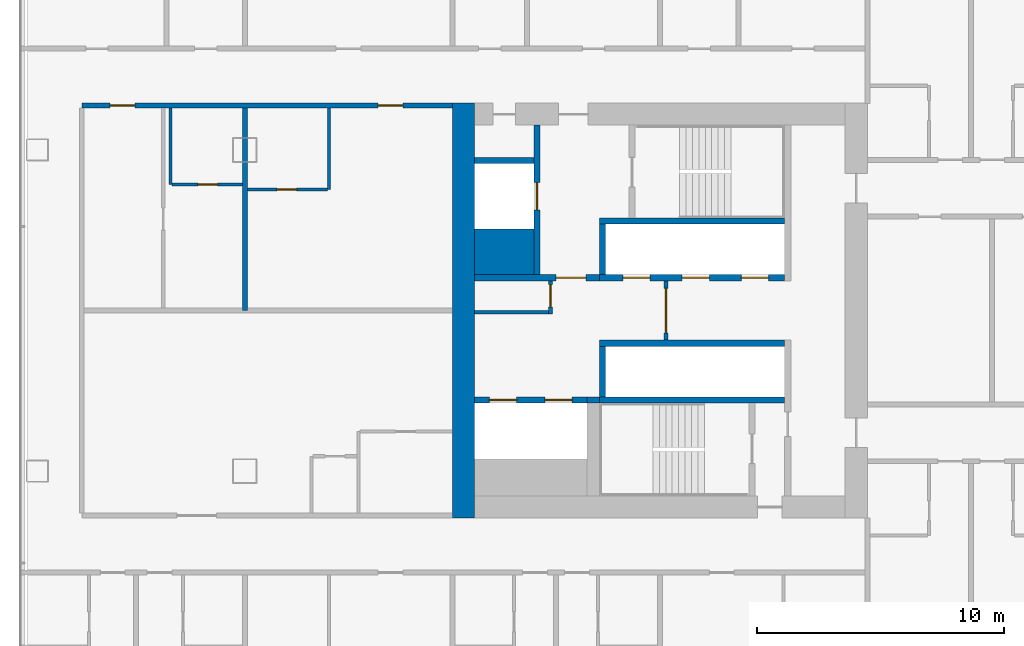
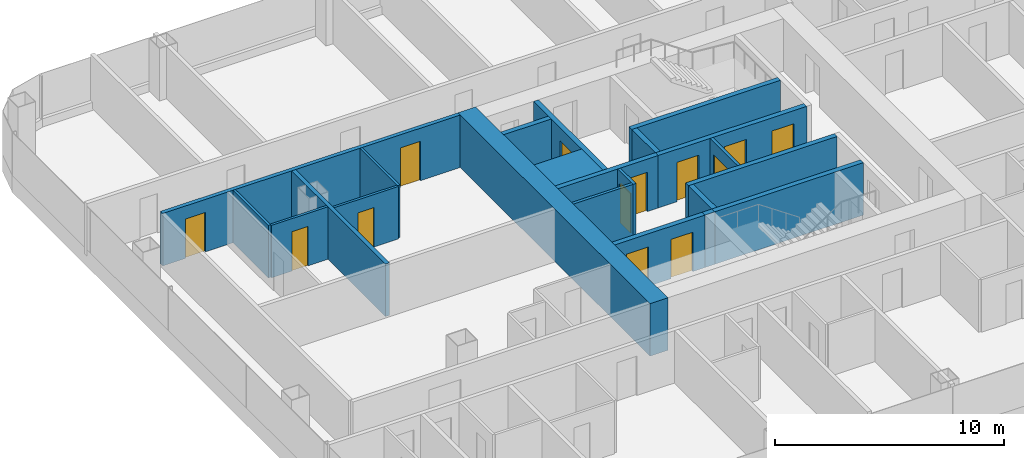
# One storey, part 14 of 29: 22 walls, 13 doors, 13 openings.
"""IFC4 building model written with IfcOpenShell, lengths in metres."""

from ifc_helpers import new_model, si_unit, direction, frame, frame_2d, origin, place, context, subcontext, project, spatial, rectangle, extrude, material, layer, layer_set, type_object, element, fill, save


model = new_model("IFC4")

# Units and contexts
model_context = context("Model", 3, precision=1e-05, world=origin(), true_north=direction((0.0, 1.0)))
body_context = subcontext(model_context, "Body", "Model", "MODEL_VIEW")
ifc_project = project(units=[si_unit("LENGTHUNIT", "METRE"), si_unit("AREAUNIT", "SQUARE_METRE"), si_unit("VOLUMEUNIT", "CUBIC_METRE"), si_unit("PLANEANGLEUNIT", "RADIAN"), si_unit("MASSUNIT", "GRAM", prefix="KILO")], contexts=[model_context])

# Site, building, storey
site_placement = place(None, origin())
site = spatial("IfcSite", under=ifc_project, at=site_placement, CompositionType="ELEMENT")
building_placement = place(site_placement, origin())
building = spatial("IfcBuilding", under=site, at=building_placement, Name="Hakoniwa Tower and Hamabe Station Hall", CompositionType="ELEMENT")
storey_placement = place(building_placement, frame((0.0, 0.0, 45.39990234375)))
storey = spatial("IfcBuildingStorey", under=building, at=storey_placement, Name="L12", CompositionType="ELEMENT", Elevation=45.39990234375)

# Wall, opening, door
ifc_material_1 = material(Name="Gypsum board partition", Category="gypsum")
ifc_layer_1 = layer(ifc_material_1, 0.125)
ifc_layer_set_1 = layer_set([ifc_layer_1], Name="Bathroom Partition 125")
wall_type_1 = type_object("IfcWallType", Name="Bathroom Partition 125", PredefinedType="PARTITIONING", material=ifc_layer_set_1)
wall_1_placement = place(storey_placement, frame((-41.89990234375, 4.89990234375, 0.0), z_axis=(0.0, 0.0, 1.0), x_axis=(1.0, 0.0, 0.0)))
wall_1 = element("IfcWall", 1, at=wall_1_placement, inside=storey, type_object=wall_type_1, Name="GW-L12-030", PredefinedType="PARTITIONING", context=body_context, shape_type="SweptSolid", body=[
    extrude(rectangle(XDim=3.2373046875, YDim=0.125, at=frame_2d((1.61865234375, 0.0))), origin(), (0.0, 0.0, 1.0), 2.800048828125),
])
opening_1_placement = place(wall_1_placement, frame((1.199951171875, 0.0, 0.0)))
opening_1 = element("IfcOpeningElement", 2, at=opening_1_placement, cuts=wall_1, Name="Opening GD-G1D1-39", PredefinedType="OPENING", context=body_context, shape_type="SweptSolid", body=[
    extrude(rectangle(XDim=0.800048828125, YDim=2.10009765625, at=frame_2d((0.39990234375, 1.050048828125))), frame((0.0, 0.072509765625, 0.0), z_axis=(0.0, -1.0, 0.0), x_axis=(1.0, 0.0, 0.0)), (0.0, 0.0, 1.0), 0.14501953125),
])
ifc_material_2 = material(Name="Timber door leaf", Category="wood")
door_type_1 = type_object("IfcDoorType", Name="Bathroom Door 800", OperationType="SINGLE_SWING_LEFT", PredefinedType="DOOR", material=ifc_material_2)
door_1_placement = place(opening_1_placement, origin())
door_1 = element("IfcDoor", 3, at=door_1_placement, inside=storey, type_object=door_type_1, Name="Door GD-G1D1-39", OperationType="SINGLE_SWING_LEFT", OverallHeight=2.10009765625, OverallWidth=0.800048828125, PredefinedType="DOOR", context=body_context, shape_type="SweptSolid", body=[
    extrude(rectangle(XDim=0.800048828125, YDim=2.10009765625, at=frame_2d((0.39990234375, 1.050048828125))), frame((0.0, 0.02490234375, 0.0), z_axis=(0.0, -1.0, 0.0), x_axis=(1.0, 0.0, 0.0)), (0.0, 0.0, 1.0), 0.050048828125),
])
fill(opening_1, door_1)

wall_2_placement = place(storey_placement, frame((-44.9375, 5.10009765625, 0.0), z_axis=(0.0, 0.0, 1.0), x_axis=(1.0, 0.0, 0.0)))
wall_2 = element("IfcWall", 4, at=wall_2_placement, inside=storey, type_object=wall_type_1, Name="GW-L12-032", PredefinedType="PARTITIONING", context=body_context, shape_type="SweptSolid", body=[
    extrude(rectangle(XDim=2.83740234375, YDim=0.125, at=frame_2d((1.418701171875, 0.0))), origin(), (0.0, 0.0, 1.0), 2.800048828125),
])
opening_2_placement = place(wall_2_placement, frame((1.03759765625, 0.0, 0.0)))
opening_2 = element("IfcOpeningElement", 5, at=opening_2_placement, cuts=wall_2, Name="Opening GD-G1D1-41", PredefinedType="OPENING", context=body_context, shape_type="SweptSolid", body=[
    extrude(rectangle(XDim=0.800048828125, YDim=2.10009765625, at=frame_2d((0.39990234375, 1.050048828125))), frame((0.0, 0.072509765625, 0.0), z_axis=(0.0, -1.0, 0.0), x_axis=(1.0, 0.0, 0.0)), (0.0, 0.0, 1.0), 0.14501953125),
])
door_2_placement = place(opening_2_placement, origin())
door_2 = element("IfcDoor", 6, at=door_2_placement, inside=storey, type_object=door_type_1, Name="Door GD-G1D1-41", OperationType="SINGLE_SWING_RIGHT", OverallHeight=2.10009765625, OverallWidth=0.800048828125, PredefinedType="DOOR", context=body_context, shape_type="SweptSolid", body=[
    extrude(rectangle(XDim=0.800048828125, YDim=2.10009765625, at=frame_2d((0.39990234375, 1.050048828125))), frame((0.0, 0.02490234375, 0.0), z_axis=(0.0, -1.0, 0.0), x_axis=(1.0, 0.0, 0.0)), (0.0, 0.0, 1.0), 0.050048828125),
])
fill(opening_2, door_2)

# Walls
wall_3_placement = place(storey_placement, frame((-45.0, 5.10009765625, 0.0), z_axis=(0.0, 0.0, 1.0), x_axis=(0.0, 1.0, 0.0)))
element("IfcWall", 7, at=wall_3_placement, inside=storey, type_object=wall_type_1, Name="GW-L12-048", PredefinedType="PARTITIONING", context=body_context, shape_type="SweptSolid", body=[
    extrude(rectangle(XDim=3.099853515625, YDim=0.125, at=frame_2d((1.5498046875, 0.0))), origin(), (0.0, 0.0, 1.0), 2.800048828125),
])
wall_4_placement = place(storey_placement, frame((-38.60009765625, 4.89990234375, 0.0), z_axis=(0.0, 0.0, 1.0), x_axis=(0.0, 1.0, 0.0)))
element("IfcWall", 8, at=wall_4_placement, inside=storey, type_object=wall_type_1, Name="GW-L12-055", PredefinedType="PARTITIONING", context=body_context, shape_type="SweptSolid", body=[
    extrude(rectangle(XDim=3.300048828125, YDim=0.125, at=frame_2d((1.64990234375, 0.0))), origin(), (0.0, 0.0, 1.0), 2.800048828125),
])

# Wall, opening, door
ifc_material_3 = material(Name="Gypsum board partition")
ifc_layer_2 = layer(ifc_material_3, 0.14990234375)
ifc_layer_set_2 = layer_set([ifc_layer_2], Name="CORE PARTITION 150 EI 60")
wall_type_2 = type_object("IfcWallType", Name="CORE PARTITION 150 EI 60", PredefinedType="PARTITIONING", material=ifc_layer_set_2)
wall_5_placement = place(storey_placement, frame((-24.949951171875, -1.199951171875, 0.0), z_axis=(0.0, 0.0, 1.0), x_axis=(0.0, 1.0, 0.0)))
wall_5 = element("IfcWall", 9, at=wall_5_placement, inside=storey, type_object=wall_type_2, Name="Core partition PL0 west", PredefinedType="PARTITIONING", context=body_context, shape_type="SweptSolid", body=[
    extrude(rectangle(XDim=2.39990234375, YDim=0.14990234375, at=frame_2d((1.199951171875, 0.0))), origin(), (0.0, 0.0, 1.0), 2.800048828125),
])
opening_3_placement = place(wall_5_placement, frame((0.300048828125, 0.0, 0.0)))
opening_3 = element("IfcOpeningElement", 10, at=opening_3_placement, cuts=wall_5, Name="Opening CD-W-LP0-18", PredefinedType="OPENING", context=body_context, shape_type="SweptSolid", body=[
    extrude(rectangle(XDim=1.800048828125, YDim=2.10009765625, at=frame_2d((0.89990234375, 1.050048828125))), frame((0.0, 0.0849609375, 0.0), z_axis=(0.0, -1.0, 0.0), x_axis=(1.0, 0.0, 0.0)), (0.0, 0.0, 1.0), 0.169921875),
])
ifc_material_4 = material(Name="Steel fire door", Category="steel")
door_type_2 = type_object("IfcDoorType", Name="CORE DOOR 1800 FD60", OperationType="DOUBLE_DOOR_SINGLE_SWING", PredefinedType="DOOR", material=ifc_material_4)
door_3_placement = place(opening_3_placement, origin())
door_3 = element("IfcDoor", 11, at=door_3_placement, inside=storey, type_object=door_type_2, Name="Lift lobby partition door", OperationType="DOUBLE_DOOR_SINGLE_SWING", OverallHeight=2.10009765625, OverallWidth=1.800048828125, PredefinedType="DOOR", context=body_context, shape_type="SweptSolid", body=[
    extrude(rectangle(XDim=1.800048828125, YDim=2.10009765625, at=frame_2d((0.89990234375, 1.050048828125))), frame((0.0, 0.02490234375, 0.0), z_axis=(0.0, -1.0, 0.0), x_axis=(1.0, 0.0, 0.0)), (0.0, 0.0, 1.0), 0.050048828125),
])
fill(opening_3, door_3)

wall_6_placement = place(storey_placement, frame((-29.625, -0.14990234375, 0.0), z_axis=(0.0, 0.0, 1.0), x_axis=(0.0, 1.0, 0.0)))
wall_6 = element("IfcWall", 12, at=wall_6_placement, inside=storey, type_object=wall_type_2, Name="Core partition PW0 west", PredefinedType="PARTITIONING", context=body_context, shape_type="SweptSolid", body=[
    extrude(rectangle(XDim=1.349853515625, YDim=0.14990234375, at=frame_2d((0.6748046875, 0.0))), origin(), (0.0, 0.0, 1.0), 2.800048828125),
])
opening_4_placement = place(wall_6_placement, frame((0.300048828125, 0.0, 0.0)))
opening_4 = element("IfcOpeningElement", 13, at=opening_4_placement, cuts=wall_6, Name="Opening CD-W-RM1-9", PredefinedType="OPENING", context=body_context, shape_type="SweptSolid", body=[
    extrude(rectangle(XDim=0.89990234375, YDim=2.10009765625, at=frame_2d((0.449951171875, 1.050048828125))), frame((0.0, 0.0849609375, 0.0), z_axis=(0.0, -1.0, 0.0), x_axis=(1.0, 0.0, 0.0)), (0.0, 0.0, 1.0), 0.169921875),
])
ifc_material_5 = material(Name="Steel fire door", Category="steel")
door_type_3 = type_object("IfcDoorType", Name="CORE DOOR 900 FD30", OperationType="NOTDEFINED", PredefinedType="DOOR", material=ifc_material_5)
door_4_placement = place(opening_4_placement, origin())
door_4 = element("IfcDoor", 14, at=door_4_placement, inside=storey, type_object=door_type_3, Name="Store room door", OperationType="SINGLE_SWING_LEFT", OverallHeight=2.10009765625, OverallWidth=0.89990234375, PredefinedType="DOOR", context=body_context, shape_type="SweptSolid", body=[
    extrude(rectangle(XDim=0.89990234375, YDim=2.10009765625, at=frame_2d((0.449951171875, 1.050048828125))), frame((0.0, 0.02490234375, 0.0), z_axis=(0.0, -1.0, 0.0), x_axis=(1.0, 0.0, 0.0)), (0.0, 0.0, 1.0), 0.050048828125),
])
fill(opening_4, door_4)

# Walls
wall_7_placement = place(storey_placement, frame((-32.699951171875, -0.074951171875, 0.0), z_axis=(0.0, 0.0, 1.0), x_axis=(1.0, 0.0, 0.0)))
element("IfcWall", 15, at=wall_7_placement, inside=storey, type_object=wall_type_2, Name="Core partition PS west", PredefinedType="PARTITIONING", context=body_context, shape_type="SweptSolid", body=[
    extrude(rectangle(XDim=3.0, YDim=0.14990234375, at=frame_2d((1.5, 0.0))), origin(), (0.0, 0.0, 1.0), 2.800048828125),
])
ifc_material_6 = material(Name="Concrete C80", Category="concrete")
ifc_layer_3 = layer(ifc_material_6, 0.89990234375)
ifc_layer_set_3 = layer_set([ifc_layer_3], Name="CORE WALL 900 C80")
wall_type_3 = type_object("IfcWallType", Name="CORE WALL 900 C80", PredefinedType="SHEAR", material=ifc_layer_set_3)
wall_8_placement = place(storey_placement, frame((-33.14990234375, -8.39990234375, 0.0), z_axis=(0.0, 0.0, 1.0), x_axis=(0.0, 1.0, 0.0)))
element("IfcWall", 16, at=wall_8_placement, inside=storey, type_object=wall_type_3, Name="Core wall OUTER west", PredefinedType="SHEAR", context=body_context, shape_type="SweptSolid", body=[
    extrude(rectangle(XDim=16.7998046875, YDim=0.89990234375, at=frame_2d((8.39990234375, 0.0))), origin(), (0.0, 0.0, 1.0), 2.800048828125),
])
ifc_material_7 = material(Name="Concrete C80", Category="concrete")
ifc_layer_4 = layer(ifc_material_7, 1.85009765625)
ifc_layer_set_4 = layer_set([ifc_layer_4], Name="CORE WEB WALL 1850 C80")
wall_type_4 = type_object("IfcWallType", Name="CORE WEB WALL 1850 C80", PredefinedType="SHEAR", material=ifc_layer_set_4)
wall_9_placement = place(storey_placement, frame((-32.699951171875, 2.375, 0.0), z_axis=(0.0, 0.0, 1.0), x_axis=(1.0, 0.0, 0.0)))
element("IfcWall", 17, at=wall_9_placement, inside=storey, type_object=wall_type_4, Name="Core wall CA west", PredefinedType="SHEAR", context=body_context, shape_type="SweptSolid", body=[
    extrude(rectangle(XDim=2.39990234375, YDim=1.85009765625, at=frame_2d((1.199951171875, 0.0))), origin(), (0.0, 0.0, 1.0), 2.800048828125),
])

# Wall, openings, doors
ifc_material_8 = material(Name="Concrete C80", Category="concrete")
ifc_layer_5 = layer(ifc_material_8, 0.25)
ifc_layer_set_5 = layer_set([ifc_layer_5], Name="CORE WEB WALL 250 C80")
wall_type_5 = type_object("IfcWallType", Name="CORE WEB WALL 250 C80", PredefinedType="SHEAR", material=ifc_layer_set_5)
wall_10_placement = place(storey_placement, frame((-27.64990234375, 1.324951171875, 0.0), z_axis=(0.0, 0.0, 1.0), x_axis=(1.0, 0.0, 0.0)))
wall_10 = element("IfcWall", 18, at=wall_10_placement, inside=storey, type_object=wall_type_5, Name="Core wall NF west", PredefinedType="SHEAR", context=body_context, shape_type="SweptSolid", body=[
    extrude(rectangle(XDim=7.5, YDim=0.25, at=frame_2d((3.75, 0.0))), origin(), (0.0, 0.0, 1.0), 2.800048828125),
])
opening_5_placement = place(wall_10_placement, frame((5.75, 0.0, 0.0)))
opening_5 = element("IfcOpeningElement", 19, at=opening_5_placement, cuts=wall_10, Name="Opening LD-LR1", PredefinedType="OPENING", context=body_context, shape_type="SweptSolid", body=[
    extrude(rectangle(XDim=1.10009765625, YDim=2.10009765625, at=frame_2d((0.550048828125, 1.050048828125))), frame((0.0, 0.135009765625, 0.0), z_axis=(0.0, -1.0, 0.0), x_axis=(1.0, 0.0, 0.0)), (0.0, 0.0, 1.0), 0.27001953125),
])
opening_6_placement = place(wall_10_placement, frame((3.35009765625, 0.0, 0.0)))
opening_6 = element("IfcOpeningElement", 20, at=opening_6_placement, cuts=wall_10, Name="Opening LD-LR2", PredefinedType="OPENING", context=body_context, shape_type="SweptSolid", body=[
    extrude(rectangle(XDim=1.10009765625, YDim=2.10009765625, at=frame_2d((0.550048828125, 1.050048828125))), frame((0.0, 0.135009765625, 0.0), z_axis=(0.0, -1.0, 0.0), x_axis=(1.0, 0.0, 0.0)), (0.0, 0.0, 1.0), 0.27001953125),
])
opening_7_placement = place(wall_10_placement, frame((0.949951171875, 0.0, 0.0)))
opening_7 = element("IfcOpeningElement", 21, at=opening_7_placement, cuts=wall_10, Name="Opening LD-LR3", PredefinedType="OPENING", context=body_context, shape_type="SweptSolid", body=[
    extrude(rectangle(XDim=1.10009765625, YDim=2.10009765625, at=frame_2d((0.550048828125, 1.050048828125))), frame((0.0, 0.135009765625, 0.0), z_axis=(0.0, -1.0, 0.0), x_axis=(1.0, 0.0, 0.0)), (0.0, 0.0, 1.0), 0.27001953125),
])
ifc_material_9 = material(Name="Stainless steel SUS304", Category="steel")
door_type_4 = type_object("IfcDoorType", Name="LIFT LANDING DOOR 1100 FD60", OperationType="DOUBLE_DOOR_SLIDING", PredefinedType="DOOR", material=ifc_material_9)
door_5_placement = place(opening_5_placement, origin())
door_5 = element("IfcDoor", 22, at=door_5_placement, inside=storey, type_object=door_type_4, Name="Lift landing door LR1 L12", OperationType="DOUBLE_DOOR_SLIDING", OverallHeight=2.10009765625, OverallWidth=1.10009765625, PredefinedType="DOOR", context=body_context, shape_type="SweptSolid", body=[
    extrude(rectangle(XDim=1.10009765625, YDim=2.10009765625, at=frame_2d((0.550048828125, 1.050048828125))), frame((0.0, 0.02490234375, 0.0), z_axis=(0.0, -1.0, 0.0), x_axis=(1.0, 0.0, 0.0)), (0.0, 0.0, 1.0), 0.050048828125),
])
fill(opening_5, door_5)
door_6_placement = place(opening_6_placement, origin())
door_6 = element("IfcDoor", 23, at=door_6_placement, inside=storey, type_object=door_type_4, Name="Lift landing door LR2 L12", OperationType="DOUBLE_DOOR_SLIDING", OverallHeight=2.10009765625, OverallWidth=1.10009765625, PredefinedType="DOOR", context=body_context, shape_type="SweptSolid", body=[
    extrude(rectangle(XDim=1.10009765625, YDim=2.10009765625, at=frame_2d((0.550048828125, 1.050048828125))), frame((0.0, 0.02490234375, 0.0), z_axis=(0.0, -1.0, 0.0), x_axis=(1.0, 0.0, 0.0)), (0.0, 0.0, 1.0), 0.050048828125),
])
fill(opening_6, door_6)
door_7_placement = place(opening_7_placement, origin())
door_7 = element("IfcDoor", 24, at=door_7_placement, inside=storey, type_object=door_type_4, Name="Lift landing door LR3 L12", OperationType="DOUBLE_DOOR_SLIDING", OverallHeight=2.10009765625, OverallWidth=1.10009765625, PredefinedType="DOOR", context=body_context, shape_type="SweptSolid", body=[
    extrude(rectangle(XDim=1.10009765625, YDim=2.10009765625, at=frame_2d((0.550048828125, 1.050048828125))), frame((0.0, 0.02490234375, 0.0), z_axis=(0.0, -1.0, 0.0), x_axis=(1.0, 0.0, 0.0)), (0.0, 0.0, 1.0), 0.050048828125),
])
fill(opening_7, door_7)

# Walls
wall_11_placement = place(storey_placement, frame((-27.52490234375, 1.449951171875, 0.0), z_axis=(0.0, 0.0, 1.0), x_axis=(0.0, 1.0, 0.0)))
element("IfcWall", 25, at=wall_11_placement, inside=storey, type_object=wall_type_5, Name="Core wall NE west", PredefinedType="SHEAR", context=body_context, shape_type="SweptSolid", body=[
    extrude(rectangle(XDim=2.050048828125, YDim=0.25, at=frame_2d((1.02490234375, 0.0))), origin(), (0.0, 0.0, 1.0), 2.800048828125),
])
wall_12_placement = place(storey_placement, frame((-27.64990234375, 3.625, 0.0), z_axis=(0.0, 0.0, 1.0), x_axis=(1.0, 0.0, 0.0)))
element("IfcWall", 26, at=wall_12_placement, inside=storey, type_object=wall_type_5, Name="Core wall NR west", PredefinedType="SHEAR", context=body_context, shape_type="SweptSolid", body=[
    extrude(rectangle(XDim=7.5, YDim=0.25, at=frame_2d((3.75, 0.0))), origin(), (0.0, 0.0, 1.0), 2.800048828125),
])

# Wall, opening, door
wall_13_placement = place(storey_placement, frame((-32.699951171875, 1.324951171875, 0.0), z_axis=(0.0, 0.0, 1.0), x_axis=(1.0, 0.0, 0.0)))
wall_13 = element("IfcWall", 27, at=wall_13_placement, inside=storey, type_object=wall_type_5, Name="Core wall ELN west", PredefinedType="SHEAR", context=body_context, shape_type="SweptSolid", body=[
    extrude(rectangle(XDim=5.050048828125, YDim=0.25, at=frame_2d((2.52490234375, 0.0))), origin(), (0.0, 0.0, 1.0), 2.800048828125),
])
opening_8_placement = place(wall_13_placement, frame((3.300048828125, 0.0, 0.0)))
opening_8 = element("IfcOpeningElement", 28, at=opening_8_placement, cuts=wall_13, Name="Opening CD-W-FL-12", PredefinedType="OPENING", context=body_context, shape_type="SweptSolid", body=[
    extrude(rectangle(XDim=1.199951171875, YDim=2.10009765625, at=frame_2d((0.60009765625, 1.050048828125))), frame((0.0, 0.135009765625, 0.0), z_axis=(0.0, -1.0, 0.0), x_axis=(1.0, 0.0, 0.0)), (0.0, 0.0, 1.0), 0.27001953125),
])
ifc_material_10 = material(Name="Steel fire door", Category="steel")
door_type_5 = type_object("IfcDoorType", Name="CORE DOOR 1200 FD60", OperationType="DOUBLE_DOOR_SINGLE_SWING", PredefinedType="DOOR", material=ifc_material_10)
door_8_placement = place(opening_8_placement, origin())
door_8 = element("IfcDoor", 29, at=door_8_placement, inside=storey, type_object=door_type_5, Name="Stair vestibule door to the fire-fighting lobby", OperationType="DOUBLE_DOOR_SINGLE_SWING", OverallHeight=2.10009765625, OverallWidth=1.199951171875, PredefinedType="DOOR", context=body_context, shape_type="SweptSolid", body=[
    extrude(rectangle(XDim=1.199951171875, YDim=2.10009765625, at=frame_2d((0.60009765625, 1.050048828125))), frame((0.0, 0.02490234375, 0.0), z_axis=(0.0, -1.0, 0.0), x_axis=(1.0, 0.0, 0.0)), (0.0, 0.0, 1.0), 0.050048828125),
])
fill(opening_8, door_8)

wall_14_placement = place(storey_placement, frame((-30.175048828125, 1.449951171875, 0.0), z_axis=(0.0, 0.0, 1.0), x_axis=(0.0, 1.0, 0.0)))
wall_14 = element("IfcWall", 30, at=wall_14_placement, inside=storey, type_object=wall_type_5, Name="Core wall FFF west", PredefinedType="SHEAR", context=body_context, shape_type="SweptSolid", body=[
    extrude(rectangle(XDim=6.050048828125, YDim=0.25, at=frame_2d((3.02490234375, 0.0))), origin(), (0.0, 0.0, 1.0), 2.800048828125),
])
opening_9_placement = place(wall_14_placement, frame((2.625, 0.0, 0.0)))
opening_9 = element("IfcOpeningElement", 31, at=opening_9_placement, cuts=wall_14, Name="Opening LD-FF1", PredefinedType="OPENING", context=body_context, shape_type="SweptSolid", body=[
    extrude(rectangle(XDim=1.10009765625, YDim=2.10009765625, at=frame_2d((0.550048828125, 1.050048828125))), frame((0.0, 0.135009765625, 0.0), z_axis=(0.0, -1.0, 0.0), x_axis=(1.0, 0.0, 0.0)), (0.0, 0.0, 1.0), 0.27001953125),
])
door_9_placement = place(opening_9_placement, origin())
door_9 = element("IfcDoor", 32, at=door_9_placement, inside=storey, type_object=door_type_4, Name="Lift landing door FF1 L12", OperationType="DOUBLE_DOOR_SLIDING", OverallHeight=2.10009765625, OverallWidth=1.10009765625, PredefinedType="DOOR", context=body_context, shape_type="SweptSolid", body=[
    extrude(rectangle(XDim=1.10009765625, YDim=2.10009765625, at=frame_2d((0.550048828125, 1.050048828125))), frame((0.0, 0.02490234375, 0.0), z_axis=(0.0, -1.0, 0.0), x_axis=(1.0, 0.0, 0.0)), (0.0, 0.0, 1.0), 0.050048828125),
])
fill(opening_9, door_9)

# Walls
wall_15_placement = place(storey_placement, frame((-32.699951171875, 6.074951171875, 0.0), z_axis=(0.0, 0.0, 1.0), x_axis=(1.0, 0.0, 0.0)))
element("IfcWall", 33, at=wall_15_placement, inside=storey, type_object=wall_type_5, Name="Core wall C2 west", PredefinedType="SHEAR", context=body_context, shape_type="SweptSolid", body=[
    extrude(rectangle(XDim=2.39990234375, YDim=0.25, at=frame_2d((1.199951171875, 0.0))), origin(), (0.0, 0.0, 1.0), 2.800048828125),
])
wall_16_placement = place(storey_placement, frame((-27.64990234375, -1.324951171875, 0.0), z_axis=(0.0, 0.0, 1.0), x_axis=(1.0, 0.0, 0.0)))
element("IfcWall", 34, at=wall_16_placement, inside=storey, type_object=wall_type_5, Name="Core wall SF west", PredefinedType="SHEAR", context=body_context, shape_type="SweptSolid", body=[
    extrude(rectangle(XDim=7.5, YDim=0.25, at=frame_2d((3.75, 0.0))), origin(), (0.0, 0.0, 1.0), 2.800048828125),
])
wall_17_placement = place(storey_placement, frame((-27.52490234375, -3.5, 0.0), z_axis=(0.0, 0.0, 1.0), x_axis=(0.0, 1.0, 0.0)))
element("IfcWall", 35, at=wall_17_placement, inside=storey, type_object=wall_type_5, Name="Core wall SE west", PredefinedType="SHEAR", context=body_context, shape_type="SweptSolid", body=[
    extrude(rectangle(XDim=2.050048828125, YDim=0.25, at=frame_2d((1.02490234375, 0.0))), origin(), (0.0, 0.0, 1.0), 2.800048828125),
])
wall_18_placement = place(storey_placement, frame((-27.64990234375, -3.625, 0.0), z_axis=(0.0, 0.0, 1.0), x_axis=(1.0, 0.0, 0.0)))
element("IfcWall", 36, at=wall_18_placement, inside=storey, type_object=wall_type_5, Name="Core wall SR west", PredefinedType="SHEAR", context=body_context, shape_type="SweptSolid", body=[
    extrude(rectangle(XDim=7.5, YDim=0.25, at=frame_2d((3.75, 0.0))), origin(), (0.0, 0.0, 1.0), 2.800048828125),
])

# Wall, openings, doors
wall_19_placement = place(storey_placement, frame((-32.699951171875, -3.625, 0.0), z_axis=(0.0, 0.0, 1.0), x_axis=(1.0, 0.0, 0.0)))
wall_19 = element("IfcWall", 37, at=wall_19_placement, inside=storey, type_object=wall_type_5, Name="Core wall SEF west", PredefinedType="SHEAR", context=body_context, shape_type="SweptSolid", body=[
    extrude(rectangle(XDim=4.550048828125, YDim=0.25, at=frame_2d((2.27490234375, 0.0))), origin(), (0.0, 0.0, 1.0), 2.800048828125),
])
opening_10_placement = place(wall_19_placement, frame((2.85009765625, 0.0, 0.0)))
opening_10 = element("IfcOpeningElement", 38, at=opening_10_placement, cuts=wall_19, Name="Opening LD-SV1", PredefinedType="OPENING", context=body_context, shape_type="SweptSolid", body=[
    extrude(rectangle(XDim=1.10009765625, YDim=2.10009765625, at=frame_2d((0.550048828125, 1.050048828125))), frame((0.0, 0.135009765625, 0.0), z_axis=(0.0, -1.0, 0.0), x_axis=(1.0, 0.0, 0.0)), (0.0, 0.0, 1.0), 0.27001953125),
])
opening_11_placement = place(wall_19_placement, frame((0.60009765625, 0.0, 0.0)))
opening_11 = element("IfcOpeningElement", 39, at=opening_11_placement, cuts=wall_19, Name="Opening LD-SV2", PredefinedType="OPENING", context=body_context, shape_type="SweptSolid", body=[
    extrude(rectangle(XDim=1.10009765625, YDim=2.10009765625, at=frame_2d((0.550048828125, 1.050048828125))), frame((0.0, 0.135009765625, 0.0), z_axis=(0.0, -1.0, 0.0), x_axis=(1.0, 0.0, 0.0)), (0.0, 0.0, 1.0), 0.27001953125),
])
door_10_placement = place(opening_10_placement, origin())
door_10 = element("IfcDoor", 40, at=door_10_placement, inside=storey, type_object=door_type_4, Name="Lift landing door SV1 L12", OperationType="DOUBLE_DOOR_SLIDING", OverallHeight=2.10009765625, OverallWidth=1.10009765625, PredefinedType="DOOR", context=body_context, shape_type="SweptSolid", body=[
    extrude(rectangle(XDim=1.10009765625, YDim=2.10009765625, at=frame_2d((0.550048828125, 1.050048828125))), frame((0.0, 0.02490234375, 0.0), z_axis=(0.0, -1.0, 0.0), x_axis=(1.0, 0.0, 0.0)), (0.0, 0.0, 1.0), 0.050048828125),
])
fill(opening_10, door_10)
door_11_placement = place(opening_11_placement, origin())
door_11 = element("IfcDoor", 41, at=door_11_placement, inside=storey, type_object=door_type_4, Name="Lift landing door SV2 L12", OperationType="DOUBLE_DOOR_SLIDING", OverallHeight=2.10009765625, OverallWidth=1.10009765625, PredefinedType="DOOR", context=body_context, shape_type="SweptSolid", body=[
    extrude(rectangle(XDim=1.10009765625, YDim=2.10009765625, at=frame_2d((0.550048828125, 1.050048828125))), frame((0.0, 0.02490234375, 0.0), z_axis=(0.0, -1.0, 0.0), x_axis=(1.0, 0.0, 0.0)), (0.0, 0.0, 1.0), 0.050048828125),
])
fill(opening_11, door_11)

# Wall
wall_20_placement = place(storey_placement, frame((-28.14990234375, -3.625, 0.0), z_axis=(0.0, 0.0, 1.0), x_axis=(1.0, 0.0, 0.0)))
element("IfcWall", 42, at=wall_20_placement, inside=storey, type_object=wall_type_5, Name="Core wall SRK west", PredefinedType="SHEAR", context=body_context, shape_type="SweptSolid", body=[
    extrude(rectangle(XDim=0.5, YDim=0.25, at=frame_2d((0.25, 0.0))), origin(), (0.0, 0.0, 1.0), 2.800048828125),
])

# Wall, openings, doors
ifc_material_11 = material(Name="Fire-rated gypsum board partition", Category="gypsum")
ifc_layer_6 = layer(ifc_material_11, 0.199951171875)
ifc_layer_set_6 = layer_set([ifc_layer_6], Name="Corridor Wall 200")
wall_type_6 = type_object("IfcWallType", Name="Corridor Wall 200", PredefinedType="PARTITIONING", material=ifc_layer_set_6)
wall_21_placement = place(storey_placement, frame((-48.60009765625, 8.300048828125, 0.0), z_axis=(0.0, 0.0, 1.0), x_axis=(1.0, 0.0, 0.0)))
wall_21 = element("IfcWall", 43, at=wall_21_placement, inside=storey, type_object=wall_type_6, Name="GW-L12-035", PredefinedType="PARTITIONING", context=body_context, shape_type="SweptSolid", body=[
    extrude(rectangle(XDim=15.0, YDim=0.199951171875, at=frame_2d((7.5, 0.0))), origin(), (0.0, 0.0, 1.0), 2.800048828125),
])
opening_12_placement = place(wall_21_placement, frame((1.14990234375, 0.0, 0.0)))
opening_12 = element("IfcOpeningElement", 44, at=opening_12_placement, cuts=wall_21, Name="Opening GD-G1D1-48", PredefinedType="OPENING", context=body_context, shape_type="SweptSolid", body=[
    extrude(rectangle(XDim=1.0, YDim=2.10009765625, at=frame_2d((0.5, 1.050048828125))), frame((0.0, 0.10986328125, 0.0), z_axis=(0.0, -1.0, 0.0), x_axis=(1.0, 0.0, 0.0)), (0.0, 0.0, 1.0), 0.219970703125),
])
opening_13_placement = place(wall_21_placement, frame((12.0, 0.0, 0.0)))
opening_13 = element("IfcOpeningElement", 45, at=opening_13_placement, cuts=wall_21, Name="Opening GD-G1D1-49", PredefinedType="OPENING", context=body_context, shape_type="SweptSolid", body=[
    extrude(rectangle(XDim=1.0, YDim=2.10009765625, at=frame_2d((0.5, 1.050048828125))), frame((0.0, 0.10986328125, 0.0), z_axis=(0.0, -1.0, 0.0), x_axis=(1.0, 0.0, 0.0)), (0.0, 0.0, 1.0), 0.219970703125),
])
ifc_material_12 = material(Name="Timber door leaf", Category="wood")
door_type_6 = type_object("IfcDoorType", Name="Guest Entrance Door 1000", OperationType="SINGLE_SWING_LEFT", PredefinedType="DOOR", material=ifc_material_12)
door_12_placement = place(opening_12_placement, origin())
door_12 = element("IfcDoor", 46, at=door_12_placement, inside=storey, type_object=door_type_6, Name="Door GD-G1D1-48", OperationType="SINGLE_SWING_LEFT", OverallHeight=2.10009765625, OverallWidth=1.0, PredefinedType="DOOR", context=body_context, shape_type="SweptSolid", body=[
    extrude(rectangle(XDim=1.0, YDim=2.10009765625, at=frame_2d((0.5, 1.050048828125))), frame((0.0, 0.02490234375, 0.0), z_axis=(0.0, -1.0, 0.0), x_axis=(1.0, 0.0, 0.0)), (0.0, 0.0, 1.0), 0.050048828125),
])
fill(opening_12, door_12)
door_13_placement = place(opening_13_placement, origin())
door_13 = element("IfcDoor", 47, at=door_13_placement, inside=storey, type_object=door_type_6, Name="Door GD-G1D1-49", OperationType="SINGLE_SWING_LEFT", OverallHeight=2.10009765625, OverallWidth=1.0, PredefinedType="DOOR", context=body_context, shape_type="SweptSolid", body=[
    extrude(rectangle(XDim=1.0, YDim=2.10009765625, at=frame_2d((0.5, 1.050048828125))), frame((0.0, 0.02490234375, 0.0), z_axis=(0.0, -1.0, 0.0), x_axis=(1.0, 0.0, 0.0)), (0.0, 0.0, 1.0), 0.050048828125),
])
fill(opening_13, door_13)

# Wall
ifc_material_13 = material(Name="Fire-rated gypsum board partition", Category="gypsum")
ifc_layer_7 = layer(ifc_material_13, 0.199951171875)
ifc_layer_set_7 = layer_set([ifc_layer_7], Name="Party Wall 200")
wall_type_7 = type_object("IfcWallType", Name="Party Wall 200", PredefinedType="PARTITIONING", material=ifc_layer_set_7)
wall_22_placement = place(storey_placement, frame((-42.0, 0.0, 0.0), z_axis=(0.0, 0.0, 1.0), x_axis=(0.0, 1.0, 0.0)))
element("IfcWall", 48, at=wall_22_placement, inside=storey, type_object=wall_type_7, Name="GW-L12-051", PredefinedType="PARTITIONING", context=body_context, shape_type="SweptSolid", body=[
    extrude(rectangle(XDim=8.199951171875, YDim=0.199951171875, at=frame_2d((4.10009765625, 0.0))), origin(), (0.0, 0.0, 1.0), 2.800048828125),
])

save(model, "model.ifc")
